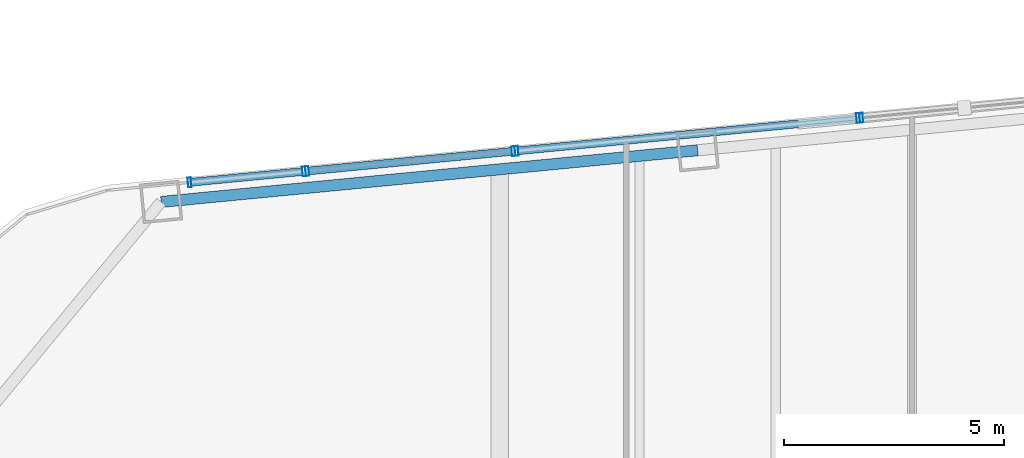
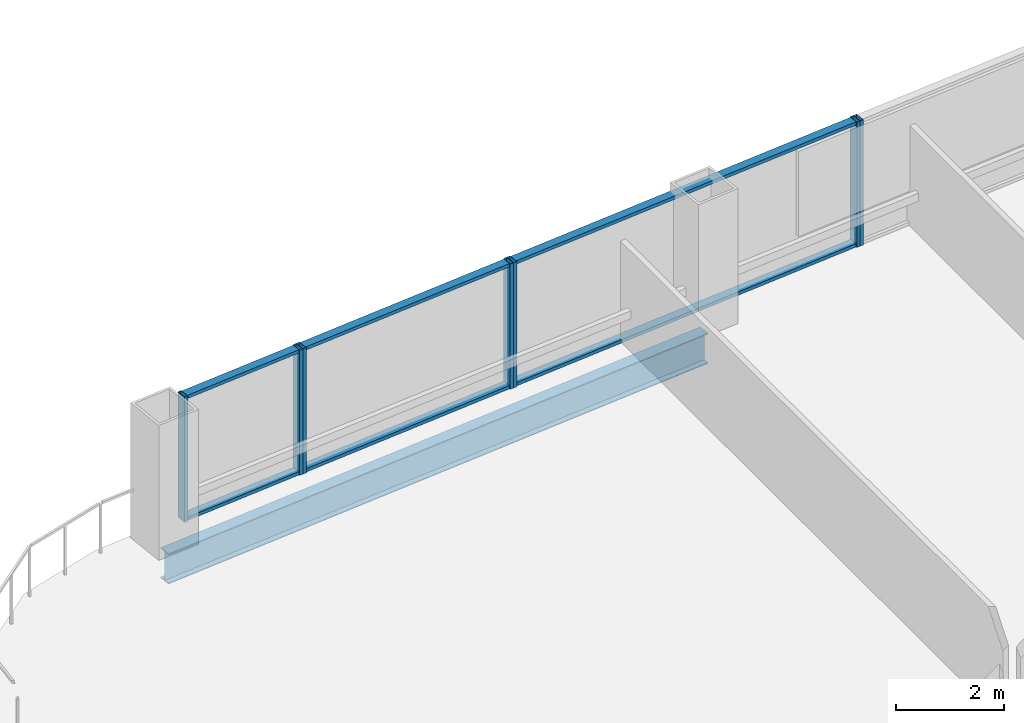
# One storey, part 20 of 32: 13 members, 1 beam, 4 elements without a shape of their own.
"""IFC4 building model written with IfcOpenShell, lengths in metres."""

from ifc_helpers import new_model, si_unit, direction, frame, origin, origin_2d, place, context, subcontext, project, spatial, hollow_rectangle, i_section, extrude, material, layer, layer_set, material_profile, profile_set, type_object, element, aggregate, save


model = new_model("IFC4")

# Units and contexts
model_context = context("Model", 3, precision=1e-05, world=origin(), true_north=direction((0.0, 1.0)))
body_context = subcontext(model_context, "Body", "Model", "MODEL_VIEW")
ifc_project = project(units=[si_unit("LENGTHUNIT", "METRE"), si_unit("AREAUNIT", "SQUARE_METRE"), si_unit("VOLUMEUNIT", "CUBIC_METRE"), si_unit("PLANEANGLEUNIT", "RADIAN"), si_unit("MASSUNIT", "GRAM", prefix="KILO")], contexts=[model_context])

# Site, building, storey
site_placement = place(None, origin())
site = spatial("IfcSite", under=ifc_project, at=site_placement, CompositionType="ELEMENT")
building_placement = place(site_placement, origin())
building = spatial("IfcBuilding", under=site, at=building_placement, Name="Qhalaya Broadcast Tower", CompositionType="ELEMENT")
storey_placement = place(building_placement, frame((0.0, 0.0, 87.75)))
storey = spatial("IfcBuildingStorey", under=building, at=storey_placement, Name="L25", CompositionType="ELEMENT", Elevation=87.75)

# Beam
ifc_material_1 = material(Name="Structural Steel ASTM A992 Grade 50", Category="steel")
ifc_material_profile_1 = material_profile(ifc_material_1, i_section(OverallWidth=0.25390625, OverallDepth=0.68310546875, WebThickness=0.012451171875, FlangeThickness=0.01904296875, at=origin_2d()), Name="W27X94")
ifc_profile_set_1 = profile_set([ifc_material_profile_1], Name="Structural Steel ASTM A992 Grade 50")
beam_type = type_object("IfcBeamType", Name="Perimeter Ring Spandrel Beam SP1", PredefinedType="SPANDREL", material=ifc_profile_set_1)
beam_placement = place(storey_placement, frame((-4.875, 26.941162109375, -0.5615234375), z_axis=(-0.99539563662, -0.095851586307, 0.0), x_axis=(0.095851586307, -0.99539563662, 0.0)))
element("IfcBeam", 1, at=beam_placement, inside=storey, type_object=beam_type, Name="L25 SP1 L25-SPR-11", PredefinedType="SPANDREL", context=body_context, shape_type="SweptSolid", body=[
    extrude(i_section(OverallWidth=0.25390625, OverallDepth=0.68310546875, WebThickness=0.012451171875, FlangeThickness=0.01904296875, at=origin_2d()), origin(), (0.0, 0.0, 1.0), 12.2666015625),
])

# Curtain wall, member
ifc_material_2 = material(Name="Solar-Control Low-E Triple Glazing", Category="glass")
ifc_layer_1 = layer(ifc_material_2, 0.219970703125, Name="Solar-Control Low-E Triple Glazing")
ifc_layer_set_1 = layer_set([ifc_layer_1], Name="Solar-Control Low-E Triple Glazing")
curtain_wall_type_1 = type_object("IfcCurtainWallType", Name="Even-Block 4-Storey Double-Module Curtain Wall CW-03", PredefinedType="NOTDEFINED", material=ifc_layer_set_1)
curtain_wall_1_placement = place(storey_placement, origin())
curtain_wall_1 = element("IfcCurtainWall", 2, at=curtain_wall_1_placement, inside=storey, type_object=curtain_wall_type_1, Name="L25 Unitised Curtain Wall L25-CW-N4", PredefinedType="NOTDEFINED")
ifc_material_3 = material(Name="Anodised Aluminium 6063-T6", Category="aluminium")
ifc_material_profile_2 = material_profile(ifc_material_3, hollow_rectangle(XDim=0.074951171875, YDim=0.219970703125, WallThickness=0.00390625, at=origin_2d()), Name="ALU-MUL 75x220x4")
ifc_profile_set_2 = profile_set([ifc_material_profile_2], Name="Anodised Aluminium 6063-T6")
member_type_1 = type_object("IfcMemberType", Name="Unitised Curtain-Wall Mullion M01", PredefinedType="MULLION", material=ifc_profile_set_2)
member_1_placement = place(storey_placement, frame((-1.15087890625, 27.681396484375, 0.0), z_axis=(0.0, 0.0, 1.0), x_axis=(-0.995394623965, -0.095862101904, 0.0)))
member_1 = element("IfcMember", 3, at=member_1_placement, type_object=member_type_1, Name="CW-03 mullion 2", PredefinedType="MULLION", context=body_context, shape_type="SweptSolid", body=[
    extrude(hollow_rectangle(XDim=0.074951171875, YDim=0.219970703125, WallThickness=0.00390625, at=origin_2d()), origin(), (0.0, 0.0, 1.0), 2.830078125),
])
aggregate(curtain_wall_1, [member_1])

# Curtain wall, members
ifc_material_4 = material(Name="Fired Architectural Terracotta", Category="masonry")
ifc_layer_2 = layer(ifc_material_4, 0.219970703125, Name="Fired Architectural Terracotta")
ifc_layer_set_2 = layer_set([ifc_layer_2], Name="Fired Architectural Terracotta")
curtain_wall_type_2 = type_object("IfcCurtainWallType", Name="Block-Cap Unitised Terracotta Spandrel Wall CW-07", PredefinedType="NOTDEFINED", material=ifc_layer_set_2)
curtain_wall_2_placement = place(storey_placement, origin())
curtain_wall_2 = element("IfcCurtainWall", 4, at=curtain_wall_2_placement, inside=storey, type_object=curtain_wall_type_2, Name="L25 Unitised Curtain Wall L25-CW-N5", PredefinedType="NOTDEFINED")
member_2_placement = place(storey_placement, frame((-1.2255859375, 27.67431640625, 0.0), z_axis=(0.0, 0.0, 1.0), x_axis=(-0.995396908899, -0.095838373083, 0.0)))
member_2 = element("IfcMember", 5, at=member_2_placement, type_object=member_type_1, Name="CW-07 mullion 1", PredefinedType="MULLION", context=body_context, shape_type="SweptSolid", body=[
    extrude(hollow_rectangle(XDim=0.074951171875, YDim=0.219970703125, WallThickness=0.00390625, at=origin_2d()), origin(), (0.0, 0.0, 1.0), 2.830078125),
])
member_3_placement = place(storey_placement, frame((-8.99560546875, 26.92626953125, 0.0), z_axis=(0.0, 0.0, 1.0), x_axis=(-0.995396908899, -0.095838373083, 0.0)))
member_3 = element("IfcMember", 6, at=member_3_placement, type_object=member_type_1, Name="CW-07 mullion 2", PredefinedType="MULLION", context=body_context, shape_type="SweptSolid", body=[
    extrude(hollow_rectangle(XDim=0.074951171875, YDim=0.219970703125, WallThickness=0.00390625, at=origin_2d()), origin(), (0.0, 0.0, 1.0), 2.830078125),
])

curtain_wall_3_placement = place(storey_placement, origin())
curtain_wall_3 = element("IfcCurtainWall", 7, at=curtain_wall_3_placement, inside=storey, type_object=curtain_wall_type_1, Name="L25 Unitised Curtain Wall L25-CW-N6", PredefinedType="NOTDEFINED")
member_4_placement = place(storey_placement, frame((-9.0703125, 26.9189453125, 0.0), z_axis=(0.0, 0.0, 1.0), x_axis=(-0.995394431952, -0.095864095672, 0.0)))
member_4 = element("IfcMember", 8, at=member_4_placement, type_object=member_type_1, Name="CW-03 mullion 1", PredefinedType="MULLION", context=body_context, shape_type="SweptSolid", body=[
    extrude(hollow_rectangle(XDim=0.074951171875, YDim=0.219970703125, WallThickness=0.00390625, at=origin_2d()), origin(), (0.0, 0.0, 1.0), 2.830078125),
])
member_5_placement = place(storey_placement, frame((-13.759521484375, 26.46728515625, 0.0), z_axis=(0.0, 0.0, 1.0), x_axis=(-0.995394431952, -0.095864095672, 0.0)))
member_5 = element("IfcMember", 9, at=member_5_placement, type_object=member_type_1, Name="CW-03 mullion 2", PredefinedType="MULLION", context=body_context, shape_type="SweptSolid", body=[
    extrude(hollow_rectangle(XDim=0.074951171875, YDim=0.219970703125, WallThickness=0.00390625, at=origin_2d()), origin(), (0.0, 0.0, 1.0), 2.830078125),
])

curtain_wall_4_placement = place(storey_placement, origin())
curtain_wall_4 = element("IfcCurtainWall", 10, at=curtain_wall_4_placement, inside=storey, type_object=curtain_wall_type_2, Name="L25 Unitised Curtain Wall L25-CW-N7", PredefinedType="NOTDEFINED")
member_6_placement = place(storey_placement, frame((-13.834228515625, 26.460205078125, 0.0), z_axis=(0.0, 0.0, 1.0), x_axis=(-0.995397375184, -0.095833530024, 0.0)))
member_6 = element("IfcMember", 11, at=member_6_placement, type_object=member_type_1, Name="CW-07 mullion 1", PredefinedType="MULLION", context=body_context, shape_type="SweptSolid", body=[
    extrude(hollow_rectangle(XDim=0.074951171875, YDim=0.219970703125, WallThickness=0.00390625, at=origin_2d()), origin(), (0.0, 0.0, 1.0), 2.830078125),
])
member_7_placement = place(storey_placement, frame((-16.437255859375, 26.20947265625, 0.0), z_axis=(0.0, 0.0, 1.0), x_axis=(-0.995397375184, -0.095833530024, 0.0)))
member_7 = element("IfcMember", 12, at=member_7_placement, type_object=member_type_1, Name="CW-07 mullion 2", PredefinedType="MULLION", context=body_context, shape_type="SweptSolid", body=[
    extrude(hollow_rectangle(XDim=0.074951171875, YDim=0.219970703125, WallThickness=0.00390625, at=origin_2d()), origin(), (0.0, 0.0, 1.0), 2.830078125),
])

# Member
ifc_material_profile_3 = material_profile(ifc_material_3, hollow_rectangle(XDim=0.074951171875, YDim=0.179931640625, WallThickness=0.00390625, at=origin_2d()), Name="ALU-TRN 75x180x4")
ifc_profile_set_3 = profile_set([ifc_material_profile_3], Name="Anodised Aluminium 6063-T6")
member_type_2 = type_object("IfcMemberType", Name="Unitised Curtain-Wall Transom T01", PredefinedType="USERDEFINED", material=ifc_profile_set_3)
member_8_placement = place(storey_placement, frame((-1.262939453125, 27.670654296875, 0.03759765625), z_axis=(-0.99539629116, -0.095844788822, 0.0), x_axis=(0.0, 0.0, 1.0)))
member_8 = element("IfcMember", 13, at=member_8_placement, type_object=member_type_2, Name="CW-07 transom 1.1", ObjectType="TRANSOM", PredefinedType="USERDEFINED", context=body_context, shape_type="SweptSolid", body=[
    extrude(hollow_rectangle(XDim=0.074951171875, YDim=0.179931640625, WallThickness=0.00390625, at=origin_2d()), origin(), (0.0, 0.0, 1.0), 7.73095703125),
])

member_9_placement = place(storey_placement, frame((-1.262939453125, 27.670654296875, 2.79248046875), z_axis=(-0.99539629116, -0.095844788822, 0.0), x_axis=(0.0, 0.0, 1.0)))
member_9 = element("IfcMember", 14, at=member_9_placement, type_object=member_type_2, Name="CW-07 transom 1.2", ObjectType="TRANSOM", PredefinedType="USERDEFINED", context=body_context, shape_type="SweptSolid", body=[
    extrude(hollow_rectangle(XDim=0.074951171875, YDim=0.179931640625, WallThickness=0.00390625, at=origin_2d()), origin(), (0.0, 0.0, 1.0), 7.73095703125),
])

aggregate(curtain_wall_2, [member_2, member_3, member_8, member_9])

member_10_placement = place(storey_placement, frame((-9.107666015625, 26.91552734375, 0.03759765625), z_axis=(-0.99539096807, -0.095900055704, 0.0), x_axis=(0.0, 0.0, 1.0)))
member_10 = element("IfcMember", 15, at=member_10_placement, type_object=member_type_2, Name="CW-03 transom 1.1", ObjectType="TRANSOM", PredefinedType="USERDEFINED", context=body_context, shape_type="SweptSolid", body=[
    extrude(hollow_rectangle(XDim=0.074951171875, YDim=0.179931640625, WallThickness=0.00390625, at=origin_2d()), origin(), (0.0, 0.0, 1.0), 4.635986328125),
])

member_11_placement = place(storey_placement, frame((-9.107666015625, 26.91552734375, 2.79248046875), z_axis=(-0.99539096807, -0.095900055704, 0.0), x_axis=(0.0, 0.0, 1.0)))
member_11 = element("IfcMember", 16, at=member_11_placement, type_object=member_type_2, Name="CW-03 transom 1.2", ObjectType="TRANSOM", PredefinedType="USERDEFINED", context=body_context, shape_type="SweptSolid", body=[
    extrude(hollow_rectangle(XDim=0.074951171875, YDim=0.179931640625, WallThickness=0.00390625, at=origin_2d()), origin(), (0.0, 0.0, 1.0), 4.635986328125),
])

aggregate(curtain_wall_3, [member_4, member_5, member_10, member_11])

member_12_placement = place(storey_placement, frame((-13.87158203125, 26.45654296875, 0.03759765625), z_axis=(-0.995397751495, -0.095829621306, 0.0), x_axis=(0.0, 0.0, 1.0)))
member_12 = element("IfcMember", 17, at=member_12_placement, type_object=member_type_2, Name="CW-07 transom 1.1", ObjectType="TRANSOM", PredefinedType="USERDEFINED", context=body_context, shape_type="SweptSolid", body=[
    extrude(hollow_rectangle(XDim=0.074951171875, YDim=0.179931640625, WallThickness=0.00390625, at=origin_2d()), origin(), (0.0, 0.0, 1.0), 2.5400390625),
])

member_13_placement = place(storey_placement, frame((-13.87158203125, 26.45654296875, 2.79248046875), z_axis=(-0.995397751495, -0.095829621306, 0.0), x_axis=(0.0, 0.0, 1.0)))
member_13 = element("IfcMember", 18, at=member_13_placement, type_object=member_type_2, Name="CW-07 transom 1.2", ObjectType="TRANSOM", PredefinedType="USERDEFINED", context=body_context, shape_type="SweptSolid", body=[
    extrude(hollow_rectangle(XDim=0.074951171875, YDim=0.179931640625, WallThickness=0.00390625, at=origin_2d()), origin(), (0.0, 0.0, 1.0), 2.5400390625),
])

aggregate(curtain_wall_4, [member_6, member_7, member_12, member_13])

save(model, "model.ifc")
